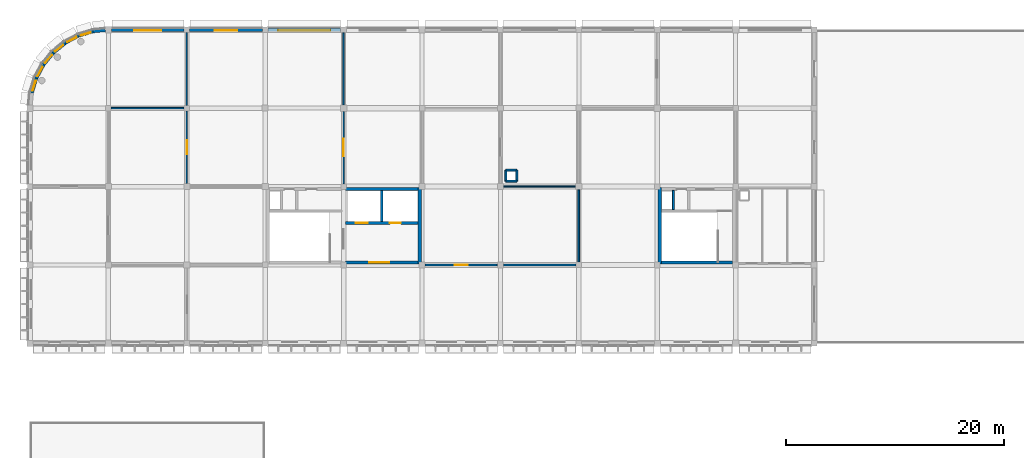
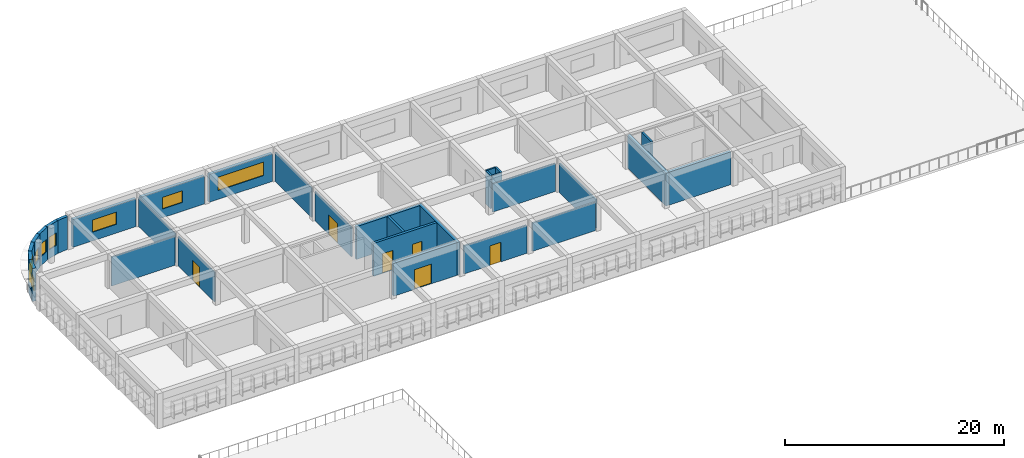
# One storey, part 16 of 22: 31 walls, 9 windows, 6 doors, 15 openings.
"""IFC4 building model written with IfcOpenShell, lengths in metres."""

from ifc_helpers import new_model, si_unit, direction, frame, frame_2d, origin, place, context, subcontext, project, spatial, rectangle, extrude, material, layer, layer_set, type_object, element, fill, save


model = new_model("IFC4")

# Units and contexts
model_context = context("Model", 3, precision=1e-05, world=origin(), true_north=direction((0.0, 1.0)))
body_context = subcontext(model_context, "Body", "Model", "MODEL_VIEW")
ifc_project = project(units=[si_unit("LENGTHUNIT", "METRE"), si_unit("AREAUNIT", "SQUARE_METRE"), si_unit("VOLUMEUNIT", "CUBIC_METRE"), si_unit("PLANEANGLEUNIT", "RADIAN"), si_unit("MASSUNIT", "GRAM", prefix="KILO")], contexts=[model_context])

# Site, building, storey
site_placement = place(None, origin())
site = spatial("IfcSite", under=ifc_project, at=site_placement, CompositionType="ELEMENT")
building_placement = place(site_placement, origin())
building = spatial("IfcBuilding", under=site, at=building_placement, Name="Thalmaran Polytechnic", CompositionType="ELEMENT")
storey_placement = place(building_placement, frame((0.0, 0.0, 22.800048828125)))
storey = spatial("IfcBuildingStorey", under=building, at=storey_placement, Name="L05", CompositionType="ELEMENT", Elevation=22.800048828125)

# Wall, opening, window
ifc_material_1 = material(Name="Precast concrete C40/50", Category="concrete")
ifc_layer_1 = layer(ifc_material_1, 0.360107421875, Name="Precast concrete C40/50")
ifc_layer_set_1 = layer_set([ifc_layer_1], Name="Precast concrete C40/50")
wall_type_1 = type_object("IfcWallType", Name="WL-EW01", PredefinedType="STANDARD", material=ifc_layer_set_1)
wall_1_placement = place(storey_placement, frame((0.138427734375, 116.604736328125, 0.0), z_axis=(0.0, 0.0, 1.0), x_axis=(0.290266641956, 0.956945806495, 0.0)))
wall_1 = element("IfcWall", 1, at=wall_1_placement, inside=storey, type_object=wall_type_1, Name="Exterior Precast Facade Wall L05-005", PredefinedType="STANDARD", context=body_context, shape_type="SweptSolid", body=[
    extrude(rectangle(XDim=1.411376953125, YDim=0.360107421875, at=frame_2d((0.70556640625, 0.0))), origin(), (0.0, 0.0, 1.0), 3.669921875),
])
opening_1_placement = place(wall_1_placement, frame((0.2255859375, 0.0, 1.0)))
opening_1 = element("IfcOpeningElement", 2, at=opening_1_placement, cuts=wall_1, Name="Opening CR01", PredefinedType="OPENING", context=body_context, shape_type="SweptSolid", body=[
    extrude(rectangle(XDim=0.9599609375, YDim=1.39990234375, at=frame_2d((0.47998046875, 0.699951171875))), frame((0.0, 0.18994140625, 0.0), z_axis=(0.0, -1.0, 0.0), x_axis=(1.0, 0.0, 0.0)), (0.0, 0.0, 1.0), 0.380126953125),
])
ifc_material_2 = material(Name="Thermally broken aluminium and double low-E glass", Category="aluminium")
window_type_1 = type_object("IfcWindowType", Name="WN-CR01", PartitioningType="SINGLE_PANEL", PredefinedType="WINDOW", material=ifc_material_2)
window_1_placement = place(opening_1_placement, origin())
window_1 = element("IfcWindow", 3, at=window_1_placement, inside=storey, type_object=window_type_1, Name="Curved Prow Ribbon Window W-0656", OverallHeight=1.39990234375, OverallWidth=0.9599609375, PartitioningType="SINGLE_PANEL", PredefinedType="WINDOW", context=body_context, shape_type="SweptSolid", body=[
    extrude(rectangle(XDim=0.9599609375, YDim=1.39990234375, at=frame_2d((0.47998046875, 0.699951171875))), frame((0.0, -0.010009765625, 0.0), z_axis=(0.0, -1.0, 0.0), x_axis=(1.0, 0.0, 0.0)), (0.0, 0.0, 1.0), 0.06005859375),
])
fill(opening_1, window_1)

wall_2_placement = place(storey_placement, frame((0.548095703125, 117.955322265625, 0.0), z_axis=(0.0, 0.0, 1.0), x_axis=(0.471333199182, 0.881955222984, 0.0)))
wall_2 = element("IfcWall", 4, at=wall_2_placement, inside=storey, type_object=wall_type_1, Name="Exterior Precast Facade Wall L05-006", PredefinedType="STANDARD", context=body_context, shape_type="SweptSolid", body=[
    extrude(rectangle(XDim=1.411376953125, YDim=0.360107421875, at=frame_2d((0.70556640625, 0.0))), origin(), (0.0, 0.0, 1.0), 3.669921875),
])
opening_2_placement = place(wall_2_placement, frame((0.2255859375, 0.0, 1.0)))
opening_2 = element("IfcOpeningElement", 5, at=opening_2_placement, cuts=wall_2, Name="Opening CR01", PredefinedType="OPENING", context=body_context, shape_type="SweptSolid", body=[
    extrude(rectangle(XDim=0.9599609375, YDim=1.39990234375, at=frame_2d((0.47998046875, 0.699951171875))), frame((0.0, 0.18994140625, 0.0), z_axis=(0.0, -1.0, 0.0), x_axis=(1.0, 0.0, 0.0)), (0.0, 0.0, 1.0), 0.380126953125),
])
window_2_placement = place(opening_2_placement, origin())
window_2 = element("IfcWindow", 6, at=window_2_placement, inside=storey, type_object=window_type_1, Name="Curved Prow Ribbon Window W-0657", OverallHeight=1.39990234375, OverallWidth=0.9599609375, PartitioningType="SINGLE_PANEL", PredefinedType="WINDOW", context=body_context, shape_type="SweptSolid", body=[
    extrude(rectangle(XDim=0.9599609375, YDim=1.39990234375, at=frame_2d((0.47998046875, 0.699951171875))), frame((0.0, -0.010009765625, 0.0), z_axis=(0.0, -1.0, 0.0), x_axis=(1.0, 0.0, 0.0)), (0.0, 0.0, 1.0), 0.06005859375),
])
fill(opening_2, window_2)

wall_3_placement = place(storey_placement, frame((1.21337890625, 119.2001953125, 0.0), z_axis=(0.0, 0.0, 1.0), x_axis=(0.634433227965, 0.772977670605, 0.0)))
wall_3 = element("IfcWall", 7, at=wall_3_placement, inside=storey, type_object=wall_type_1, Name="Exterior Precast Facade Wall L05-007", PredefinedType="STANDARD", context=body_context, shape_type="SweptSolid", body=[
    extrude(rectangle(XDim=1.41162109375, YDim=0.360107421875, at=frame_2d((0.705810546875, 0.0))), origin(), (0.0, 0.0, 1.0), 3.669921875),
])
opening_3_placement = place(wall_3_placement, frame((0.2255859375, 0.0, 1.0)))
opening_3 = element("IfcOpeningElement", 8, at=opening_3_placement, cuts=wall_3, Name="Opening CR01", PredefinedType="OPENING", context=body_context, shape_type="SweptSolid", body=[
    extrude(rectangle(XDim=0.9599609375, YDim=1.39990234375, at=frame_2d((0.47998046875, 0.699951171875))), frame((0.0, 0.18994140625, 0.0), z_axis=(0.0, -1.0, 0.0), x_axis=(1.0, 0.0, 0.0)), (0.0, 0.0, 1.0), 0.380126953125),
])
window_3_placement = place(opening_3_placement, origin())
window_3 = element("IfcWindow", 9, at=window_3_placement, inside=storey, type_object=window_type_1, Name="Curved Prow Ribbon Window W-0658", OverallHeight=1.39990234375, OverallWidth=0.9599609375, PartitioningType="SINGLE_PANEL", PredefinedType="WINDOW", context=body_context, shape_type="SweptSolid", body=[
    extrude(rectangle(XDim=0.9599609375, YDim=1.39990234375, at=frame_2d((0.47998046875, 0.699951171875))), frame((0.0, -0.010009765625, 0.0), z_axis=(0.0, -1.0, 0.0), x_axis=(1.0, 0.0, 0.0)), (0.0, 0.0, 1.0), 0.06005859375),
])
fill(opening_3, window_3)

wall_4_placement = place(storey_placement, frame((2.10888671875, 120.291259765625, 0.0), z_axis=(0.0, 0.0, 1.0), x_axis=(0.773062495189, 0.63432986571, 0.0)))
wall_4 = element("IfcWall", 10, at=wall_4_placement, inside=storey, type_object=wall_type_1, Name="Exterior Precast Facade Wall L05-008", PredefinedType="STANDARD", context=body_context, shape_type="SweptSolid", body=[
    extrude(rectangle(XDim=1.411376953125, YDim=0.360107421875, at=frame_2d((0.70556640625, 0.0))), origin(), (0.0, 0.0, 1.0), 3.669921875),
])
opening_4_placement = place(wall_4_placement, frame((0.2255859375, 0.0, 1.0)))
opening_4 = element("IfcOpeningElement", 11, at=opening_4_placement, cuts=wall_4, Name="Opening CR01", PredefinedType="OPENING", context=body_context, shape_type="SweptSolid", body=[
    extrude(rectangle(XDim=0.9599609375, YDim=1.39990234375, at=frame_2d((0.47998046875, 0.699951171875))), frame((0.0, 0.18994140625, 0.0), z_axis=(0.0, -1.0, 0.0), x_axis=(1.0, 0.0, 0.0)), (0.0, 0.0, 1.0), 0.380126953125),
])
window_4_placement = place(opening_4_placement, origin())
window_4 = element("IfcWindow", 12, at=window_4_placement, inside=storey, type_object=window_type_1, Name="Curved Prow Ribbon Window W-0659", OverallHeight=1.39990234375, OverallWidth=0.9599609375, PartitioningType="SINGLE_PANEL", PredefinedType="WINDOW", context=body_context, shape_type="SweptSolid", body=[
    extrude(rectangle(XDim=0.9599609375, YDim=1.39990234375, at=frame_2d((0.47998046875, 0.699951171875))), frame((0.0, -0.010009765625, 0.0), z_axis=(0.0, -1.0, 0.0), x_axis=(1.0, 0.0, 0.0)), (0.0, 0.0, 1.0), 0.06005859375),
])
fill(opening_4, window_4)

ifc_layer_2 = layer(ifc_material_1, 0.31005859375, Name="Precast concrete C40/50")
ifc_layer_set_2 = layer_set([ifc_layer_2], Name="Precast concrete C40/50")
wall_type_2 = type_object("IfcWallType", Name="WL-EW03", PredefinedType="STANDARD", material=ifc_layer_set_2)
wall_5_placement = place(storey_placement, frame((3.199951171875, 121.1865234375, 0.0), z_axis=(0.0, 0.0, 1.0), x_axis=(0.881844864465, 0.471539643102, 0.0)))
wall_5 = element("IfcWall", 13, at=wall_5_placement, inside=storey, type_object=wall_type_2, Name="Exterior Precast Facade Wall L05-009", PredefinedType="STANDARD", context=body_context, shape_type="SweptSolid", body=[
    extrude(rectangle(XDim=1.411376953125, YDim=0.31005859375, at=frame_2d((0.70556640625, 0.0))), origin(), (0.0, 0.0, 1.0), 3.669921875),
])
opening_5_placement = place(wall_5_placement, frame((0.2255859375, 0.0, 1.0)))
opening_5 = element("IfcOpeningElement", 14, at=opening_5_placement, cuts=wall_5, Name="Opening CR01", PredefinedType="OPENING", context=body_context, shape_type="SweptSolid", body=[
    extrude(rectangle(XDim=0.9599609375, YDim=1.39990234375, at=frame_2d((0.47998046875, 0.699951171875))), frame((0.0, 0.1650390625, 0.0), z_axis=(0.0, -1.0, 0.0), x_axis=(1.0, 0.0, 0.0)), (0.0, 0.0, 1.0), 0.330078125),
])
window_5_placement = place(opening_5_placement, origin())
window_5 = element("IfcWindow", 15, at=window_5_placement, inside=storey, type_object=window_type_1, Name="Curved Prow Ribbon Window W-0660", OverallHeight=1.39990234375, OverallWidth=0.9599609375, PartitioningType="SINGLE_PANEL", PredefinedType="WINDOW", context=body_context, shape_type="SweptSolid", body=[
    extrude(rectangle(XDim=0.9599609375, YDim=1.39990234375, at=frame_2d((0.47998046875, 0.699951171875))), frame((0.0, -0.010009765625, 0.0), z_axis=(0.0, -1.0, 0.0), x_axis=(1.0, 0.0, 0.0)), (0.0, 0.0, 1.0), 0.06005859375),
])
fill(opening_5, window_5)

wall_6_placement = place(storey_placement, frame((4.444580078125, 121.85205078125, 0.0), z_axis=(0.0, 0.0, 1.0), x_axis=(0.95696037757, 0.290218599957, 0.0)))
wall_6 = element("IfcWall", 16, at=wall_6_placement, inside=storey, type_object=wall_type_2, Name="Exterior Precast Facade Wall L05-010", PredefinedType="STANDARD", context=body_context, shape_type="SweptSolid", body=[
    extrude(rectangle(XDim=1.41162109375, YDim=0.31005859375, at=frame_2d((0.705810546875, 0.0))), origin(), (0.0, 0.0, 1.0), 3.669921875),
])
opening_6_placement = place(wall_6_placement, frame((0.2255859375, 0.0, 1.0)))
opening_6 = element("IfcOpeningElement", 17, at=opening_6_placement, cuts=wall_6, Name="Opening CR01", PredefinedType="OPENING", context=body_context, shape_type="SweptSolid", body=[
    extrude(rectangle(XDim=0.9599609375, YDim=1.39990234375, at=frame_2d((0.47998046875, 0.699951171875))), frame((0.0, 0.1650390625, 0.0), z_axis=(0.0, -1.0, 0.0), x_axis=(1.0, 0.0, 0.0)), (0.0, 0.0, 1.0), 0.330078125),
])
window_6_placement = place(opening_6_placement, origin())
window_6 = element("IfcWindow", 18, at=window_6_placement, inside=storey, type_object=window_type_1, Name="Curved Prow Ribbon Window W-0661", OverallHeight=1.39990234375, OverallWidth=0.9599609375, PartitioningType="SINGLE_PANEL", PredefinedType="WINDOW", context=body_context, shape_type="SweptSolid", body=[
    extrude(rectangle(XDim=0.9599609375, YDim=1.39990234375, at=frame_2d((0.47998046875, 0.699951171875))), frame((0.0, -0.010009765625, 0.0), z_axis=(0.0, -1.0, 0.0), x_axis=(1.0, 0.0, 0.0)), (0.0, 0.0, 1.0), 0.06005859375),
])
fill(opening_6, window_6)

# Wall
wall_7_placement = place(storey_placement, frame((5.79541015625, 122.26171875, 0.0), z_axis=(0.0, 0.0, 1.0), x_axis=(0.995189062464, 0.097973108315, 0.0)))
element("IfcWall", 19, at=wall_7_placement, inside=storey, type_object=wall_type_2, Name="Exterior Precast Facade Wall L05-011", PredefinedType="STANDARD", context=body_context, shape_type="SweptSolid", body=[
    extrude(rectangle(XDim=1.121337890625, YDim=0.31005859375, at=frame_2d((0.560546875, 0.0))), origin(), (0.0, 0.0, 1.0), 3.669921875),
])

# Wall, opening, window
wall_8_placement = place(storey_placement, frame((7.489990234375, 122.39990234375, 0.0), z_axis=(0.0, 0.0, 1.0), x_axis=(1.0, 0.0, 0.0)))
wall_8 = element("IfcWall", 20, at=wall_8_placement, inside=storey, type_object=wall_type_2, Name="Exterior Precast Facade Wall L05-012", PredefinedType="STANDARD", context=body_context, shape_type="SweptSolid", body=[
    extrude(rectangle(XDim=6.659912109375, YDim=0.31005859375, at=frame_2d((3.330078125, 0.0))), origin(), (0.0, 0.0, 1.0), 3.094970703125),
])
opening_7_placement = place(wall_8_placement, frame((2.080078125, 0.0, 0.97998046875)))
opening_7 = element("IfcOpeningElement", 21, at=opening_7_placement, cuts=wall_8, Name="Opening VW19", PredefinedType="OPENING", context=body_context, shape_type="SweptSolid", body=[
    extrude(rectangle(XDim=2.5, YDim=1.35009765625, at=frame_2d((1.25, 0.675048828125))), frame((0.0, 0.1650390625, 0.0), z_axis=(0.0, -1.0, 0.0), x_axis=(1.0, 0.0, 0.0)), (0.0, 0.0, 1.0), 0.330078125),
])
window_type_2 = type_object("IfcWindowType", Name="WN-VZ19", PartitioningType="DOUBLE_PANEL_VERTICAL", PredefinedType="WINDOW", material=ifc_material_2)
window_7_placement = place(opening_7_placement, origin())
window_7 = element("IfcWindow", 22, at=window_7_placement, inside=storey, type_object=window_type_2, Name="Streamline Ribbon Window W-0662", OverallHeight=1.35009765625, OverallWidth=2.5, PartitioningType="SINGLE_PANEL", PredefinedType="WINDOW", context=body_context, shape_type="SweptSolid", body=[
    extrude(rectangle(XDim=2.5, YDim=1.35009765625, at=frame_2d((1.25, 0.675048828125))), frame((0.0, -0.030029296875, 0.0), z_axis=(0.0, -1.0, 0.0), x_axis=(1.0, 0.0, 0.0)), (0.0, 0.0, 1.0), 0.06005859375),
])
fill(opening_7, window_7)

wall_9_placement = place(storey_placement, frame((14.64990234375, 122.39990234375, 0.0), z_axis=(0.0, 0.0, 1.0), x_axis=(1.0, 0.0, 0.0)))
wall_9 = element("IfcWall", 23, at=wall_9_placement, inside=storey, type_object=wall_type_2, Name="Exterior Precast Facade Wall L05-013", PredefinedType="STANDARD", context=body_context, shape_type="SweptSolid", body=[
    extrude(rectangle(XDim=6.690185546875, YDim=0.31005859375, at=frame_2d((3.34521484375, 0.0))), origin(), (0.0, 0.0, 1.0), 3.094970703125),
])
opening_8_placement = place(wall_9_placement, frame((2.294921875, 0.0, 0.97998046875)))
opening_8 = element("IfcOpeningElement", 24, at=opening_8_placement, cuts=wall_9, Name="Opening VW20", PredefinedType="OPENING", context=body_context, shape_type="SweptSolid", body=[
    extrude(rectangle(XDim=2.10009765625, YDim=1.300048828125, at=frame_2d((1.050048828125, 0.64990234375))), frame((0.0, 0.1650390625, 0.0), z_axis=(0.0, -1.0, 0.0), x_axis=(1.0, 0.0, 0.0)), (0.0, 0.0, 1.0), 0.330078125),
])
window_type_3 = type_object("IfcWindowType", Name="WN-VZ20", PartitioningType="SINGLE_PANEL", PredefinedType="WINDOW", material=ifc_material_2)
window_8_placement = place(opening_8_placement, origin())
window_8 = element("IfcWindow", 25, at=window_8_placement, inside=storey, type_object=window_type_3, Name="Streamline Ribbon Window W-0663", OverallHeight=1.300048828125, OverallWidth=2.10009765625, PartitioningType="SINGLE_PANEL", PredefinedType="WINDOW", context=body_context, shape_type="SweptSolid", body=[
    extrude(rectangle(XDim=2.10009765625, YDim=1.300048828125, at=frame_2d((1.050048828125, 0.64990234375))), frame((0.0, -0.030029296875, 0.0), z_axis=(0.0, -1.0, 0.0), x_axis=(1.0, 0.0, 0.0)), (0.0, 0.0, 1.0), 0.06005859375),
])
fill(opening_8, window_8)

wall_10_placement = place(storey_placement, frame((21.860107421875, 122.39990234375, 0.0), z_axis=(0.0, 0.0, 1.0), x_axis=(1.0, 0.0, 0.0)))
wall_10 = element("IfcWall", 26, at=wall_10_placement, inside=storey, type_object=wall_type_2, Name="Exterior Precast Facade Wall L05-014", PredefinedType="STANDARD", context=body_context, shape_type="SweptSolid", body=[
    extrude(rectangle(XDim=6.664794921875, YDim=0.31005859375, at=frame_2d((3.33251953125, 0.0))), origin(), (0.0, 0.0, 1.0), 3.094970703125),
])
opening_9_placement = place(wall_10_placement, frame((0.9326171875, 0.0, 0.97998046875)))
opening_9 = element("IfcOpeningElement", 27, at=opening_9_placement, cuts=wall_10, Name="Opening RW01", PredefinedType="OPENING", context=body_context, shape_type="SweptSolid", body=[
    extrude(rectangle(XDim=4.800048828125, YDim=1.5, at=frame_2d((2.39990234375, 0.75))), frame((0.0, 0.1650390625, 0.0), z_axis=(0.0, -1.0, 0.0), x_axis=(1.0, 0.0, 0.0)), (0.0, 0.0, 1.0), 0.330078125),
])
window_type_4 = type_object("IfcWindowType", Name="WN-RW01", PartitioningType="TRIPLE_PANEL_HORIZONTAL", PredefinedType="WINDOW", material=ifc_material_2)
window_9_placement = place(opening_9_placement, origin())
window_9 = element("IfcWindow", 28, at=window_9_placement, inside=storey, type_object=window_type_4, Name="Streamline Ribbon Window W-0664", OverallHeight=1.5, OverallWidth=4.800048828125, PartitioningType="SINGLE_PANEL", PredefinedType="WINDOW", context=body_context, shape_type="SweptSolid", body=[
    extrude(rectangle(XDim=4.800048828125, YDim=1.5, at=frame_2d((2.39990234375, 0.75))), frame((0.0, -0.030029296875, 0.0), z_axis=(0.0, -1.0, 0.0), x_axis=(1.0, 0.0, 0.0)), (0.0, 0.0, 1.0), 0.06005859375),
])
fill(opening_9, window_9)

# Walls
ifc_material_3 = material(Name="Autoclaved aerated masonry", Category="masonry")
ifc_layer_3 = layer(ifc_material_3, 0.25, Name="Autoclaved aerated masonry")
ifc_layer_set_3 = layer_set([ifc_layer_3], Name="Autoclaved aerated masonry")
wall_type_3 = type_object("IfcWallType", Name="WL-IW01", PredefinedType="PARTITIONING", material=ifc_layer_set_3)
wall_11_placement = place(storey_placement, frame((32.300048828125, 104.780029296875, 0.0), z_axis=(0.0, 0.0, 1.0), x_axis=(0.0, 1.0, 0.0)))
element("IfcWall", 29, at=wall_11_placement, inside=storey, type_object=wall_type_3, Name="Core C2 Shaft Dividing Wall L05", PredefinedType="PARTITIONING", context=body_context, shape_type="SweptSolid", body=[
    extrude(rectangle(XDim=2.869873046875, YDim=0.25, at=frame_2d((1.43505859375, 0.0))), origin(), (0.0, 0.0, 1.0), 3.669921875),
])
ifc_layer_4 = layer(ifc_material_3, 0.179931640625, Name="Autoclaved aerated masonry")
ifc_layer_set_4 = layer_set([ifc_layer_4], Name="Autoclaved aerated masonry")
wall_type_4 = type_object("IfcWallType", Name="WL-IW04", PredefinedType="PARTITIONING", material=ifc_layer_set_4)
wall_12_placement = place(storey_placement, frame((59.080078125, 105.8798828125, 0.0), z_axis=(0.0, 0.0, 1.0), x_axis=(0.0, 1.0, 0.0)))
element("IfcWall", 30, at=wall_12_placement, inside=storey, type_object=wall_type_4, Name="Core C6 Riser Shaft Enclosure Wall L05", PredefinedType="PARTITIONING", context=body_context, shape_type="SweptSolid", body=[
    extrude(rectangle(XDim=1.760009765625, YDim=0.179931640625, at=frame_2d((0.8798828125, 0.0))), origin(), (0.0, 0.0, 1.0), 3.669921875),
])
for number, where, z_axis, x_axis, name in (
    (31, (43.68994140625, 108.489990234375, 0.0), (0.0, 0.0, 1.0), (1.0, 0.0, 0.0), "Fume Exhaust Riser Shaft Wall L05 (6,15)-S"),
    (32, (44.7099609375, 108.489990234375, 0.0), (0.0, 0.0, 1.0), (0.0, 1.0, 0.0), "Fume Exhaust Riser Shaft Wall L05 (6,15)-E"),
    (33, (44.7099609375, 109.510009765625, 0.0), (0.0, 0.0, 1.0), (-1.0, 0.0, 0.0), "Fume Exhaust Riser Shaft Wall L05 (6,15)-N"),
    (34, (43.68994140625, 109.510009765625, 0.0), (0.0, 0.0, 1.0), (0.0, -1.0, 0.0), "Fume Exhaust Riser Shaft Wall L05 (6,15)-W"),
):
    element("IfcWall", number, at=place(storey_placement, frame(where, z_axis=z_axis, x_axis=x_axis)), inside=storey, type_object=wall_type_4, Name=name, PredefinedType="PARTITIONING", context=body_context, shape_type="SweptSolid", body=[
        extrude(rectangle(XDim=1.02001953125, YDim=0.179931640625, at=frame_2d((0.510009765625, 0.0))), origin(), (0.0, 0.0, 1.0), 3.669921875),
    ])

# Wall, opening, door
ifc_material_4 = material(Name="Gypsum acoustic partition")
ifc_layer_5 = layer(ifc_material_4, 0.159912109375, Name="Gypsum acoustic partition")
ifc_layer_set_5 = layer_set([ifc_layer_5], Name="Gypsum acoustic partition")
wall_type_5 = type_object("IfcWallType", Name="WL-IW05", PredefinedType="PARTITIONING", material=ifc_layer_set_5)
wall_13_placement = place(storey_placement, frame((36.280029296875, 100.800048828125, 0.0), z_axis=(0.0, 0.0, 1.0), x_axis=(1.0, 0.0, 0.0)))
wall_13 = element("IfcWall", 35, at=wall_13_placement, inside=storey, type_object=wall_type_5, Name="Interior Partition IW05 L05-025", PredefinedType="PARTITIONING", context=body_context, shape_type="SweptSolid", body=[
    extrude(rectangle(XDim=6.625, YDim=0.159912109375, at=frame_2d((3.3125, 0.0))), origin(), (0.0, 0.0, 1.0), 3.119873046875),
])
opening_10_placement = place(wall_13_placement, frame((2.722412109375, 0.0, 0.0)))
opening_10 = element("IfcOpeningElement", 36, at=opening_10_placement, cuts=wall_13, Name="Opening D-L05-009-2-03-1", PredefinedType="OPENING", context=body_context, shape_type="SweptSolid", body=[
    extrude(rectangle(XDim=1.179931640625, YDim=2.179931640625, at=frame_2d((0.58984375, 1.08984375))), frame((0.0, 0.08984375, 0.0), z_axis=(0.0, -1.0, 0.0), x_axis=(1.0, 0.0, 0.0)), (0.0, 0.0, 1.0), 0.179931640625),
])
ifc_material_5 = material(Name="Acoustic hardwood", Category="wood")
door_type_1 = type_object("IfcDoorType", Name="DR-ZD05", OperationType="NOTDEFINED", PredefinedType="DOOR", material=ifc_material_5)
door_1_placement = place(opening_10_placement, origin())
door_1 = element("IfcDoor", 37, at=door_1_placement, inside=storey, type_object=door_type_1, Name="Digital Learning Commons L05-03 Door 1", OperationType="SINGLE_SWING_LEFT", OverallHeight=2.179931640625, OverallWidth=1.179931640625, PredefinedType="DOOR", context=body_context, shape_type="SweptSolid", body=[
    extrude(rectangle(XDim=1.179931640625, YDim=2.179931640625, at=frame_2d((0.58984375, 1.08984375))), frame((0.0, 0.02490234375, 0.0), z_axis=(0.0, -1.0, 0.0), x_axis=(1.0, 0.0, 0.0)), (0.0, 0.0, 1.0), 0.050048828125),
])
fill(opening_10, door_1)

# Walls
wall_14_placement = place(storey_placement, frame((43.4951171875, 100.800048828125, 0.0), z_axis=(0.0, 0.0, 1.0), x_axis=(1.0, 0.0, 0.0)))
element("IfcWall", 38, at=wall_14_placement, inside=storey, type_object=wall_type_5, Name="Interior Partition IW05 L05-029", PredefinedType="PARTITIONING", context=body_context, shape_type="SweptSolid", body=[
    extrude(rectangle(XDim=6.64990234375, YDim=0.159912109375, at=frame_2d((3.324951171875, 0.0))), origin(), (0.0, 0.0, 1.0), 3.14990234375),
])
wall_15_placement = place(storey_placement, frame((50.39990234375, 101.054931640625, 0.0), z_axis=(0.0, 0.0, 1.0), x_axis=(0.0, 1.0, 0.0)))
element("IfcWall", 39, at=wall_15_placement, inside=storey, type_object=wall_type_5, Name="Interior Partition IW05 L05-030", PredefinedType="PARTITIONING", context=body_context, shape_type="SweptSolid", body=[
    extrude(rectangle(XDim=6.650146484375, YDim=0.159912109375, at=frame_2d((3.3251953125, 0.0))), origin(), (0.0, 0.0, 1.0), 3.204833984375),
])
ifc_layer_6 = layer(ifc_material_4, 0.1298828125, Name="Gypsum acoustic partition")
ifc_layer_set_6 = layer_set([ifc_layer_6], Name="Gypsum acoustic partition")
wall_type_6 = type_object("IfcWallType", Name="WL-IW07", PredefinedType="PARTITIONING", material=ifc_layer_set_6)
wall_16_placement = place(storey_placement, frame((7.455078125, 115.199951171875, 0.0), z_axis=(0.0, 0.0, 1.0), x_axis=(1.0, 0.0, 0.0)))
element("IfcWall", 40, at=wall_16_placement, inside=storey, type_object=wall_type_6, Name="Interior Partition IW07 L05-016", PredefinedType="PARTITIONING", context=body_context, shape_type="SweptSolid", body=[
    extrude(rectangle(XDim=6.679931640625, YDim=0.1298828125, at=frame_2d((3.33984375, 0.0))), origin(), (0.0, 0.0, 1.0), 3.239990234375),
])
wall_17_placement = place(storey_placement, frame((28.800048828125, 115.4951171875, 0.0), z_axis=(0.0, 0.0, 1.0), x_axis=(0.0, 1.0, 0.0)))
element("IfcWall", 41, at=wall_17_placement, inside=storey, type_object=wall_type_6, Name="Interior Partition IW07 L05-022", PredefinedType="PARTITIONING", context=body_context, shape_type="SweptSolid", body=[
    extrude(rectangle(XDim=6.625, YDim=0.1298828125, at=frame_2d((3.3125, 0.0))), origin(), (0.0, 0.0, 1.0), 3.264892578125),
])

# Wall, opening, door
ifc_layer_7 = layer(ifc_material_4, 0.114990234375, Name="Gypsum acoustic partition")
ifc_layer_set_7 = layer_set([ifc_layer_7], Name="Gypsum acoustic partition")
wall_type_7 = type_object("IfcWallType", Name="WL-IW08", PredefinedType="PARTITIONING", material=ifc_layer_set_7)
wall_18_placement = place(storey_placement, frame((14.39990234375, 108.280029296875, 0.0), z_axis=(0.0, 0.0, 1.0), x_axis=(0.0, 1.0, 0.0)))
wall_18 = element("IfcWall", 42, at=wall_18_placement, inside=storey, type_object=wall_type_7, Name="Interior Partition IW08 L05-015", PredefinedType="PARTITIONING", context=body_context, shape_type="SweptSolid", body=[
    extrude(rectangle(XDim=6.655029296875, YDim=0.114990234375, at=frame_2d((3.32763671875, 0.0))), origin(), (0.0, 0.0, 1.0), 3.27001953125),
])
opening_11_placement = place(wall_18_placement, frame((2.6875, 0.0, 0.0)))
opening_11 = element("IfcOpeningElement", 43, at=opening_11_placement, cuts=wall_18, Name="Opening D-L05-011-2-05-1", PredefinedType="OPENING", context=body_context, shape_type="SweptSolid", body=[
    extrude(rectangle(XDim=1.280029296875, YDim=2.239990234375, at=frame_2d((0.64013671875, 1.1201171875))), frame((0.0, 0.0673828125, 0.0), z_axis=(0.0, -1.0, 0.0), x_axis=(1.0, 0.0, 0.0)), (0.0, 0.0, 1.0), 0.135009765625),
])
ifc_material_6 = material(Name="Powder-coated fire-rated steel", Category="steel")
door_type_2 = type_object("IfcDoorType", Name="DR-ZD10", OperationType="NOTDEFINED", PredefinedType="DOOR", material=ifc_material_6)
door_2_placement = place(opening_11_placement, origin())
door_2 = element("IfcDoor", 44, at=door_2_placement, inside=storey, type_object=door_type_2, Name="Urban Design Studio L05-05 Door 1", OperationType="SINGLE_SWING_LEFT", OverallHeight=2.239990234375, OverallWidth=1.280029296875, PredefinedType="DOOR", context=body_context, shape_type="SweptSolid", body=[
    extrude(rectangle(XDim=1.280029296875, YDim=2.239990234375, at=frame_2d((0.64013671875, 1.1201171875))), frame((0.0, 0.02490234375, 0.0), z_axis=(0.0, -1.0, 0.0), x_axis=(1.0, 0.0, 0.0)), (0.0, 0.0, 1.0), 0.050048828125),
])
fill(opening_11, door_2)

# Wall
wall_19_placement = place(storey_placement, frame((14.39990234375, 115.465087890625, 0.0), z_axis=(0.0, 0.0, 1.0), x_axis=(0.0, 1.0, 0.0)))
element("IfcWall", 45, at=wall_19_placement, inside=storey, type_object=wall_type_7, Name="Interior Partition IW08 L05-017", PredefinedType="PARTITIONING", context=body_context, shape_type="SweptSolid", body=[
    extrude(rectangle(XDim=6.679931640625, YDim=0.114990234375, at=frame_2d((3.33984375, 0.0))), origin(), (0.0, 0.0, 1.0), 3.264892578125),
])

# Wall, opening, door
wall_20_placement = place(storey_placement, frame((28.800048828125, 108.2548828125, 0.0), z_axis=(0.0, 0.0, 1.0), x_axis=(0.0, 1.0, 0.0)))
wall_20 = element("IfcWall", 46, at=wall_20_placement, inside=storey, type_object=wall_type_7, Name="Interior Partition IW08 L05-021", PredefinedType="PARTITIONING", context=body_context, shape_type="SweptSolid", body=[
    extrude(rectangle(XDim=6.650146484375, YDim=0.114990234375, at=frame_2d((3.3251953125, 0.0))), origin(), (0.0, 0.0, 1.0), 3.27001953125),
])
opening_12_placement = place(wall_20_placement, frame((2.52490234375, 0.0, 0.0)))
opening_12 = element("IfcOpeningElement", 47, at=opening_12_placement, cuts=wall_20, Name="Opening D-L05-012-2-06-1", PredefinedType="OPENING", context=body_context, shape_type="SweptSolid", body=[
    extrude(rectangle(XDim=1.60009765625, YDim=2.199951171875, at=frame_2d((0.800048828125, 1.10009765625))), frame((0.0, 0.0673828125, 0.0), z_axis=(0.0, -1.0, 0.0), x_axis=(1.0, 0.0, 0.0)), (0.0, 0.0, 1.0), 0.135009765625),
])
door_type_3 = type_object("IfcDoorType", Name="DR-FD05", OperationType="NOTDEFINED", PredefinedType="DOOR", material=ifc_material_6)
door_3_placement = place(opening_12_placement, origin())
door_3 = element("IfcDoor", 48, at=door_3_placement, inside=storey, type_object=door_type_3, Name="Technical Reference Library Reading Room L05-06 Door 1", OperationType="DOUBLE_DOOR_SINGLE_SWING", OverallHeight=2.199951171875, OverallWidth=1.60009765625, PredefinedType="DOOR", context=body_context, shape_type="SweptSolid", body=[
    extrude(rectangle(XDim=1.60009765625, YDim=2.199951171875, at=frame_2d((0.800048828125, 1.10009765625))), frame((0.0, 0.02490234375, 0.0), z_axis=(0.0, -1.0, 0.0), x_axis=(1.0, 0.0, 0.0)), (0.0, 0.0, 1.0), 0.050048828125),
])
fill(opening_12, door_3)

# Wall
wall_21_placement = place(storey_placement, frame((43.47998046875, 108.0, 0.0), z_axis=(0.0, 0.0, 1.0), x_axis=(1.0, 0.0, 0.0)))
element("IfcWall", 49, at=wall_21_placement, inside=storey, type_object=wall_type_7, Name="Interior Partition IW08 L05-031", PredefinedType="PARTITIONING", context=body_context, shape_type="SweptSolid", body=[
    extrude(rectangle(XDim=6.625, YDim=0.114990234375, at=frame_2d((3.3125, 0.0))), origin(), (0.0, 0.0, 1.0), 3.14990234375),
])

# Wall, opening, door
ifc_material_7 = material(Name="Concrete C50/60", Category="concrete")
ifc_layer_8 = layer(ifc_material_7, 0.300048828125, Name="Concrete C50/60")
ifc_layer_set_8 = layer_set([ifc_layer_8], Name="Concrete C50/60")
wall_type_8 = type_object("IfcWallType", Name="WL-SW04", PredefinedType="SHEAR", material=ifc_layer_set_8)
wall_22_placement = place(storey_placement, frame((28.949951171875, 101.02001953125, 0.0), z_axis=(0.0, 0.0, 1.0), x_axis=(1.0, 0.0, 0.0)))
wall_22 = element("IfcWall", 50, at=wall_22_placement, inside=storey, type_object=wall_type_8, Name="Core C2 Lobby South Wall L05", PredefinedType="SHEAR", context=body_context, shape_type="SweptSolid", body=[
    extrude(rectangle(XDim=6.679931640625, YDim=0.300048828125, at=frame_2d((3.33984375, 0.0))), origin(), (0.0, 0.0, 1.0), 3.669921875),
])
opening_13_placement = place(wall_22_placement, frame((2.219970703125, 0.0, 0.0)))
opening_13 = element("IfcOpeningElement", 51, at=opening_13_placement, cuts=wall_22, Name="Opening FD-C2-L05", PredefinedType="OPENING", context=body_context, shape_type="SweptSolid", body=[
    extrude(rectangle(XDim=1.800048828125, YDim=2.199951171875, at=frame_2d((0.89990234375, 1.10009765625))), frame((0.0, 0.159912109375, 0.0), z_axis=(0.0, -1.0, 0.0), x_axis=(1.0, 0.0, 0.0)), (0.0, 0.0, 1.0), 0.320068359375),
])
door_type_4 = type_object("IfcDoorType", Name="DR-FD01", OperationType="NOTDEFINED", PredefinedType="DOOR", material=ifc_material_6)
door_4_placement = place(opening_13_placement, origin())
door_4 = element("IfcDoor", 52, at=door_4_placement, inside=storey, type_object=door_type_4, Name="Firefighting Lift Lobby Entrance Door C2 L05", OperationType="DOUBLE_DOOR_SINGLE_SWING", OverallHeight=2.199951171875, OverallWidth=1.800048828125, PredefinedType="DOOR", context=body_context, shape_type="SweptSolid", body=[
    extrude(rectangle(XDim=1.800048828125, YDim=2.199951171875, at=frame_2d((0.89990234375, 1.10009765625))), frame((0.0, 0.02490234375, 0.0), z_axis=(0.0, -1.0, 0.0), x_axis=(1.0, 0.0, 0.0)), (0.0, 0.0, 1.0), 0.050048828125),
])
fill(opening_13, door_4)

# Walls
wall_23_placement = place(storey_placement, frame((35.780029296875, 100.8701171875, 0.0), z_axis=(0.0, 0.0, 1.0), x_axis=(0.0, 1.0, 0.0)))
element("IfcWall", 53, at=wall_23_placement, inside=storey, type_object=wall_type_8, Name="Core C2 Lobby East Shear Wall L05", PredefinedType="SHEAR", context=body_context, shape_type="SweptSolid", body=[
    extrude(rectangle(XDim=7.059814453125, YDim=0.300048828125, at=frame_2d((3.52978515625, 0.0))), origin(), (0.0, 0.0, 1.0), 3.669921875),
])
wall_24_placement = place(storey_placement, frame((28.949951171875, 107.780029296875, 0.0), z_axis=(0.0, 0.0, 1.0), x_axis=(1.0, 0.0, 0.0)))
element("IfcWall", 54, at=wall_24_placement, inside=storey, type_object=wall_type_8, Name="Core C2 Lift Shaft Back Shear Wall L05", PredefinedType="SHEAR", context=body_context, shape_type="SweptSolid", body=[
    extrude(rectangle(XDim=6.679931640625, YDim=0.300048828125, at=frame_2d((3.33984375, 0.0))), origin(), (0.0, 0.0, 1.0), 3.669921875),
])

# Wall, openings, doors
wall_25_placement = place(storey_placement, frame((28.949951171875, 104.64990234375, 0.0), z_axis=(0.0, 0.0, 1.0), x_axis=(1.0, 0.0, 0.0)))
wall_25 = element("IfcWall", 55, at=wall_25_placement, inside=storey, type_object=wall_type_8, Name="Core C2 Lift Landing Front Wall L05", PredefinedType="SHEAR", context=body_context, shape_type="SweptSolid", body=[
    extrude(rectangle(XDim=6.679931640625, YDim=0.260009765625, at=frame_2d((3.33984375, 0.0))), origin(), (0.0, 0.0, 1.0), 3.669921875),
])
opening_14_placement = place(wall_25_placement, frame((0.949951171875, 0.0, 0.0)))
opening_14 = element("IfcOpeningElement", 56, at=opening_14_placement, cuts=wall_25, Name="Opening LD-FL-02-L05", PredefinedType="OPENING", context=body_context, shape_type="SweptSolid", body=[
    extrude(rectangle(XDim=1.10009765625, YDim=2.199951171875, at=frame_2d((0.550048828125, 1.10009765625))), frame((0.0, 0.139892578125, 0.0), z_axis=(0.0, -1.0, 0.0), x_axis=(1.0, 0.0, 0.0)), (0.0, 0.0, 1.0), 0.280029296875),
])
opening_15_placement = place(wall_25_placement, frame((4.10009765625, 0.0, 0.0)))
opening_15 = element("IfcOpeningElement", 57, at=opening_15_placement, cuts=wall_25, Name="Opening LD-PL-03-L05", PredefinedType="OPENING", context=body_context, shape_type="SweptSolid", body=[
    extrude(rectangle(XDim=1.0, YDim=2.14990234375, at=frame_2d((0.5, 1.074951171875))), frame((0.0, 0.139892578125, 0.0), z_axis=(0.0, -1.0, 0.0), x_axis=(1.0, 0.0, 0.0)), (0.0, 0.0, 1.0), 0.280029296875),
])
ifc_material_8 = material(Name="Brushed stainless steel lift door", Category="steel")
door_type_5 = type_object("IfcDoorType", Name="DR-LD01", OperationType="NOTDEFINED", PredefinedType="DOOR", material=ifc_material_8)
door_5_placement = place(opening_14_placement, origin())
door_5 = element("IfcDoor", 58, at=door_5_placement, inside=storey, type_object=door_type_5, Name="Lift Landing Door FL-02 L05", OperationType="SLIDING_TO_LEFT", OverallHeight=2.199951171875, OverallWidth=1.10009765625, PredefinedType="DOOR", context=body_context, shape_type="SweptSolid", body=[
    extrude(rectangle(XDim=1.10009765625, YDim=2.199951171875, at=frame_2d((0.550048828125, 1.10009765625))), frame((0.0, 0.02490234375, 0.0), z_axis=(0.0, -1.0, 0.0), x_axis=(1.0, 0.0, 0.0)), (0.0, 0.0, 1.0), 0.050048828125),
])
fill(opening_14, door_5)
door_type_6 = type_object("IfcDoorType", Name="DR-LD02", OperationType="NOTDEFINED", PredefinedType="DOOR", material=ifc_material_8)
door_6_placement = place(opening_15_placement, origin())
door_6 = element("IfcDoor", 59, at=door_6_placement, inside=storey, type_object=door_type_6, Name="Lift Landing Door PL-03 L05", OperationType="SLIDING_TO_RIGHT", OverallHeight=2.14990234375, OverallWidth=1.0, PredefinedType="DOOR", context=body_context, shape_type="SweptSolid", body=[
    extrude(rectangle(XDim=1.0, YDim=2.14990234375, at=frame_2d((0.5, 1.074951171875))), frame((0.0, 0.02490234375, 0.0), z_axis=(0.0, -1.0, 0.0), x_axis=(1.0, 0.0, 0.0)), (0.0, 0.0, 1.0), 0.050048828125),
])
fill(opening_15, door_6)

# Walls
wall_26_placement = place(storey_placement, frame((57.969970703125, 101.02001953125, 0.0), z_axis=(0.0, 0.0, 1.0), x_axis=(1.0, 0.0, 0.0)))
element("IfcWall", 60, at=wall_26_placement, inside=storey, type_object=wall_type_8, Name="Core C6 South Shear Wall L05", PredefinedType="SHEAR", context=body_context, shape_type="SweptSolid", body=[
    extrude(rectangle(XDim=6.5400390625, YDim=0.300048828125, at=frame_2d((3.27001953125, 0.0))), origin(), (0.0, 0.0, 1.0), 3.669921875),
])
wall_27_placement = place(storey_placement, frame((57.820068359375, 107.929931640625, 0.0), z_axis=(0.0, 0.0, 1.0), x_axis=(0.0, -1.0, 0.0)))
element("IfcWall", 61, at=wall_27_placement, inside=storey, type_object=wall_type_8, Name="Core C6 West Shear Wall L05", PredefinedType="SHEAR", context=body_context, shape_type="SweptSolid", body=[
    extrude(rectangle(XDim=7.059814453125, YDim=0.300048828125, at=frame_2d((3.52978515625, 0.0))), origin(), (0.0, 0.0, 1.0), 3.669921875),
])

save(model, "model.ifc")
